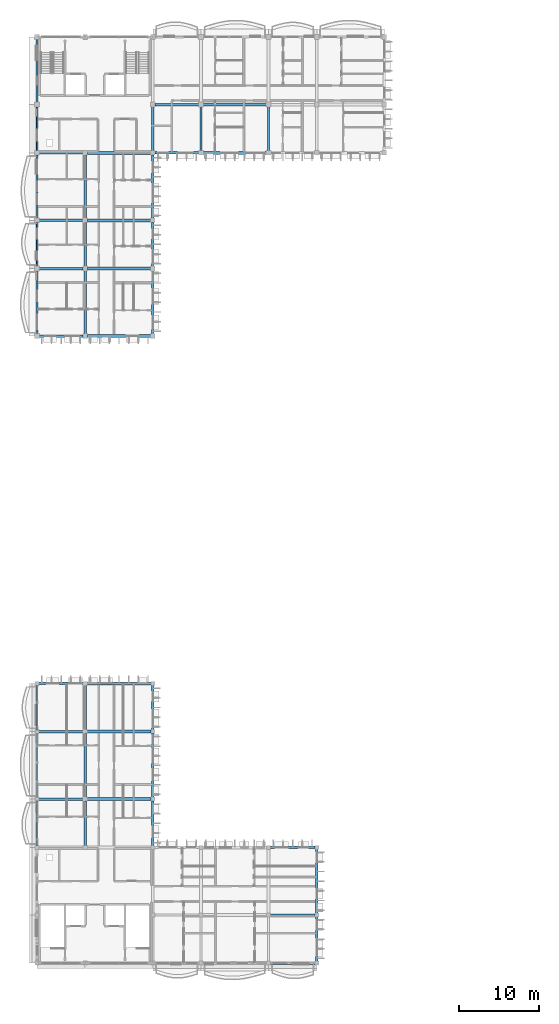
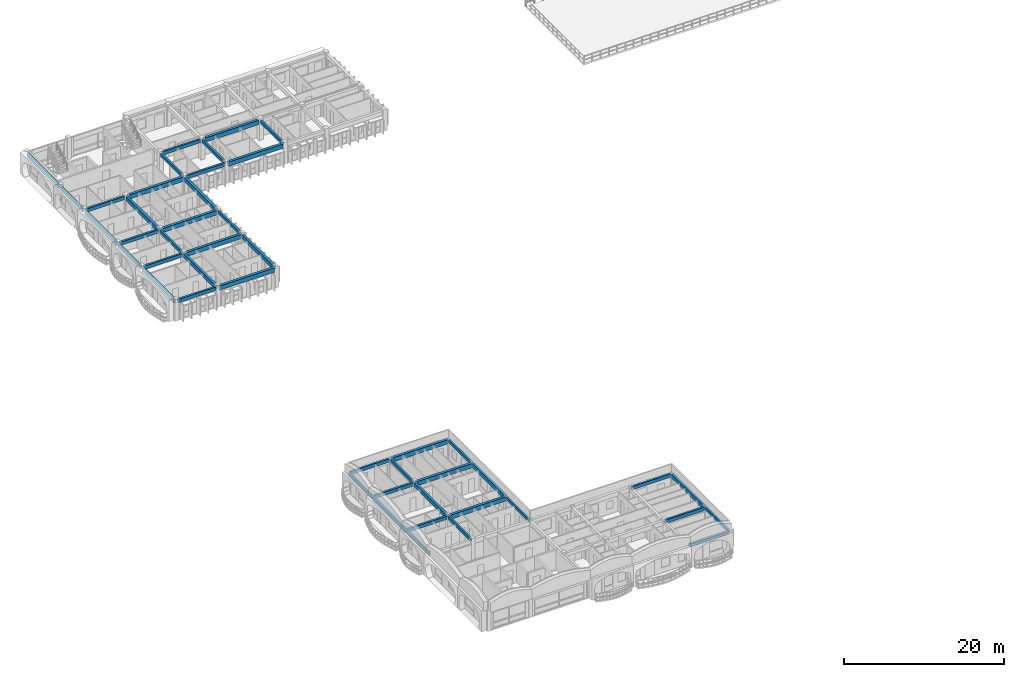
# One storey, part 4 of 45: 46 beams.
"""IFC4 building model written with IfcOpenShell, lengths in metres."""

from ifc_helpers import new_model, si_unit, direction, frame, origin, origin_2d, place, context, subcontext, project, spatial, rectangle, extrude, material, material_profile, profile_set, type_object, element, save


model = new_model("IFC4")

# Units and contexts
model_context = context("Model", 3, precision=1e-05, world=origin(), true_north=direction((0.0, 1.0)))
body_context = subcontext(model_context, "Body", "Model", "MODEL_VIEW")
ifc_project = project(units=[si_unit("LENGTHUNIT", "METRE"), si_unit("AREAUNIT", "SQUARE_METRE"), si_unit("VOLUMEUNIT", "CUBIC_METRE"), si_unit("PLANEANGLEUNIT", "RADIAN"), si_unit("MASSUNIT", "GRAM", prefix="KILO"), si_unit("THERMODYNAMICTEMPERATUREUNIT", "KELVIN")], contexts=[model_context])

# Site, building, storey
site_placement = place(None, origin())
site = spatial("IfcSite", under=ifc_project, at=site_placement, CompositionType="ELEMENT")
building_placement = place(site_placement, origin())
building = spatial("IfcBuilding", under=site, at=building_placement, Name="Thalorik Housing Commons", CompositionType="ELEMENT")
storey_placement = place(building_placement, frame((0.0, 0.0, 34.5)))
storey = spatial("IfcBuildingStorey", under=building, at=storey_placement, Name="L10", CompositionType="ELEMENT", Elevation=34.5)

# Beams
ifc_material = material(Name="Precast concrete C40/50", Category="concrete")
ifc_material_profile_1 = material_profile(ifc_material, rectangle(XDim=0.280029296875, YDim=0.449951171875, at=origin_2d()), Name="PC 280x450", Category="concrete")
ifc_profile_set_1 = profile_set([ifc_material_profile_1], Name="Precast concrete C40/50")
beam_type_1 = type_object("IfcBeamType", Name="STR-BM-PC280x450", PredefinedType="BEAM", material=ifc_profile_set_1)
for number, where, z_axis, x_axis, name in (
    (1, (14.39990234375, 23.0, 2.81494140625), (0.0, 1.0, 0.0), (-1.0, 0.0, 0.0), "L10 Beam B-450"),
    (2, (14.39990234375, 37.39990234375, 2.81494140625), (0.0, 1.0, 0.0), (-1.0, 0.0, 0.0), "L10 Beam B-450"),
):
    element("IfcBeam", number, at=place(storey_placement, frame(where, z_axis=z_axis, x_axis=x_axis)), inside=storey, type_object=beam_type_1, Name=name, PredefinedType="BEAM", context=body_context, shape_type="SweptSolid", body=[
        extrude(rectangle(XDim=0.280029296875, YDim=0.449951171875, at=origin_2d()), origin(), (0.0, 0.0, 1.0), 5.60009765625),
    ])
beam_1_placement = place(storey_placement, frame((14.39990234375, 95.050048828125, 2.81494140625), z_axis=(0.0, 1.0, 0.0), x_axis=(-1.0, 0.0, 0.0)))
element("IfcBeam", 3, at=beam_1_placement, inside=storey, type_object=beam_type_1, Name="L10 Beam B-450", PredefinedType="BEAM", context=body_context, shape_type="SweptSolid", body=[
    extrude(rectangle(XDim=0.280029296875, YDim=0.449951171875, at=origin_2d()), origin(), (0.0, 0.0, 1.0), 5.5),
])
for number, where, z_axis, x_axis, name in (
    (4, (22.800048828125, 23.0, 2.81494140625), (0.0, 1.0, 0.0), (-1.0, 0.0, 0.0), "L10 Beam B-450"),
    (5, (22.800048828125, 37.39990234375, 2.81494140625), (0.0, 1.0, 0.0), (-1.0, 0.0, 0.0), "L10 Beam B-450"),
):
    element("IfcBeam", number, at=place(storey_placement, frame(where, z_axis=z_axis, x_axis=x_axis)), inside=storey, type_object=beam_type_1, Name=name, PredefinedType="BEAM", context=body_context, shape_type="SweptSolid", body=[
        extrude(rectangle(XDim=0.280029296875, YDim=0.449951171875, at=origin_2d()), origin(), (0.0, 0.0, 1.0), 5.60009765625),
    ])
for number, where, z_axis, x_axis, name in (
    (6, (22.800048828125, 95.050048828125, 2.81494140625), (0.0, 1.0, 0.0), (-1.0, 0.0, 0.0), "L10 Beam B-450"),
    (7, (22.800048828125, 109.449951171875, 2.81494140625), (0.0, 1.0, 0.0), (-1.0, 0.0, 0.0), "L10 Beam B-450"),
    (8, (28.800048828125, 109.449951171875, 2.81494140625), (0.0, 1.0, 0.0), (-1.0, 0.0, 0.0), "L10 Beam B-450"),
    (9, (37.199951171875, 109.449951171875, 2.81494140625), (0.0, 1.0, 0.0), (-1.0, 0.0, 0.0), "L10 Beam B-450"),
):
    element("IfcBeam", number, at=place(storey_placement, frame(where, z_axis=z_axis, x_axis=x_axis)), inside=storey, type_object=beam_type_1, Name=name, PredefinedType="BEAM", context=body_context, shape_type="SweptSolid", body=[
        extrude(rectangle(XDim=0.280029296875, YDim=0.449951171875, at=origin_2d()), origin(), (0.0, 0.0, 1.0), 5.5),
    ])
beam_2_placement = place(storey_placement, frame((43.199951171875, 8.60009765625, 2.81494140625), z_axis=(0.0, 1.0, 0.0), x_axis=(-1.0, 0.0, 0.0)))
element("IfcBeam", 10, at=beam_2_placement, inside=storey, type_object=beam_type_1, Name="L10 Beam B-450", PredefinedType="BEAM", context=body_context, shape_type="SweptSolid", body=[
    extrude(rectangle(XDim=0.280029296875, YDim=0.449951171875, at=origin_2d()), origin(), (0.0, 0.0, 1.0), 5.599853515625),
])
ifc_material_profile_2 = material_profile(ifc_material, rectangle(XDim=0.300048828125, YDim=0.5, at=origin_2d()), Name="PC 300x500", Category="concrete")
ifc_profile_set_2 = profile_set([ifc_material_profile_2], Name="Precast concrete C40/50")
beam_type_2 = type_object("IfcBeamType", Name="STR-BM-PC300x500", PredefinedType="BEAM", material=ifc_profile_set_2)
for number, where, z_axis, x_axis, name in (
    (11, (37.39990234375, 8.39990234375, 2.7900390625), (1.0, 0.0, 0.0), (0.0, 1.0, 0.0), "L10 Beam B-500"),
    (12, (37.39990234375, 14.39990234375, 2.7900390625), (1.0, 0.0, 0.0), (0.0, 1.0, 0.0), "L10 Beam B-500"),
    (13, (37.39990234375, 22.800048828125, 2.7900390625), (1.0, 0.0, 0.0), (0.0, 1.0, 0.0), "L10 Beam B-500"),
):
    element("IfcBeam", number, at=place(storey_placement, frame(where, z_axis=z_axis, x_axis=x_axis)), inside=storey, type_object=beam_type_2, Name=name, PredefinedType="BEAM", context=body_context, shape_type="SweptSolid", body=[
        extrude(rectangle(XDim=0.300048828125, YDim=0.5, at=origin_2d()), origin(), (0.0, 0.0, 1.0), 5.60009765625),
    ])
for number, where, z_axis, x_axis, name in (
    (14, (8.60009765625, 28.800048828125, 2.7900390625), (1.0, 0.0, 0.0), (0.0, 1.0, 0.0), "L10 Beam B-500"),
    (15, (8.60009765625, 37.199951171875, 2.7900390625), (1.0, 0.0, 0.0), (0.0, 1.0, 0.0), "L10 Beam B-500"),
    (16, (8.60009765625, 43.199951171875, 2.7900390625), (1.0, 0.0, 0.0), (0.0, 1.0, 0.0), "L10 Beam B-500"),
):
    element("IfcBeam", number, at=place(storey_placement, frame(where, z_axis=z_axis, x_axis=x_axis)), inside=storey, type_object=beam_type_2, Name=name, PredefinedType="BEAM", context=body_context, shape_type="SweptSolid", body=[
        extrude(rectangle(XDim=0.300048828125, YDim=0.5, at=origin_2d()), origin(), (0.0, 0.0, 1.0), 5.599853515625),
    ])
for number, where, z_axis, x_axis, name in (
    (17, (8.64990234375, 86.39990234375, 2.7900390625), (1.0, 0.0, 0.0), (0.0, 1.0, 0.0), "L10 Beam B-500"),
    (18, (8.64990234375, 94.800048828125, 2.7900390625), (1.0, 0.0, 0.0), (0.0, 1.0, 0.0), "L10 Beam B-500"),
    (19, (8.64990234375, 100.800048828125, 2.7900390625), (1.0, 0.0, 0.0), (0.0, 1.0, 0.0), "L10 Beam B-500"),
    (20, (8.64990234375, 109.199951171875, 2.7900390625), (1.0, 0.0, 0.0), (0.0, 1.0, 0.0), "L10 Beam B-500"),
    (21, (23.050048828125, 109.199951171875, 2.7900390625), (1.0, 0.0, 0.0), (0.0, 1.0, 0.0), "L10 Beam B-500"),
    (22, (23.050048828125, 115.199951171875, 2.7900390625), (1.0, 0.0, 0.0), (0.0, 1.0, 0.0), "L10 Beam B-500"),
):
    element("IfcBeam", number, at=place(storey_placement, frame(where, z_axis=z_axis, x_axis=x_axis)), inside=storey, type_object=beam_type_2, Name=name, PredefinedType="BEAM", context=body_context, shape_type="SweptSolid", body=[
        extrude(rectangle(XDim=0.300048828125, YDim=0.5, at=origin_2d()), origin(), (0.0, 0.0, 1.0), 5.5),
    ])
ifc_material_profile_3 = material_profile(ifc_material, rectangle(XDim=0.35009765625, YDim=0.60009765625, at=origin_2d()), Name="PC 350x600", Category="concrete")
ifc_profile_set_3 = profile_set([ifc_material_profile_3], Name="Precast concrete C40/50")
beam_type_3 = type_object("IfcBeamType", Name="STR-BM-PC350x600", PredefinedType="BEAM", material=ifc_profile_set_3)
beam_3_placement = place(storey_placement, frame((14.39990234375, 29.0, 2.739990234375), z_axis=(0.0, 1.0, 0.0), x_axis=(-1.0, 0.0, 0.0)))
element("IfcBeam", 23, at=beam_3_placement, inside=storey, type_object=beam_type_3, Name="L10 Beam B-600", PredefinedType="BEAM", context=body_context, shape_type="SweptSolid", body=[
    extrude(rectangle(XDim=0.35009765625, YDim=0.60009765625, at=origin_2d()), origin(), (0.0, 0.0, 1.0), 8.0),
])
beam_4_placement = place(storey_placement, frame((14.39990234375, 86.64990234375, 2.739990234375), z_axis=(0.0, 1.0, 0.0), x_axis=(-1.0, 0.0, 0.0)))
element("IfcBeam", 24, at=beam_4_placement, inside=storey, type_object=beam_type_3, Name="L10 Beam B-600", PredefinedType="BEAM", context=body_context, shape_type="SweptSolid", body=[
    extrude(rectangle(XDim=0.35009765625, YDim=0.60009765625, at=origin_2d()), origin(), (0.0, 0.0, 1.0), 7.900146484375),
])
beam_5_placement = place(storey_placement, frame((14.39990234375, 101.050048828125, 2.739990234375), z_axis=(0.0, 1.0, 0.0), x_axis=(-1.0, 0.0, 0.0)))
element("IfcBeam", 25, at=beam_5_placement, inside=storey, type_object=beam_type_3, Name="L10 Beam B-600", PredefinedType="BEAM", context=body_context, shape_type="SweptSolid", body=[
    extrude(rectangle(XDim=0.35009765625, YDim=0.60009765625, at=origin_2d()), origin(), (0.0, 0.0, 1.0), 7.89990234375),
])
beam_6_placement = place(storey_placement, frame((22.800048828125, 29.0, 2.739990234375), z_axis=(0.0, 1.0, 0.0), x_axis=(-1.0, 0.0, 0.0)))
element("IfcBeam", 26, at=beam_6_placement, inside=storey, type_object=beam_type_3, Name="L10 Beam B-600", PredefinedType="BEAM", context=body_context, shape_type="SweptSolid", body=[
    extrude(rectangle(XDim=0.35009765625, YDim=0.60009765625, at=origin_2d()), origin(), (0.0, 0.0, 1.0), 8.0),
])
beam_7_placement = place(storey_placement, frame((22.800048828125, 86.64990234375, 2.739990234375), z_axis=(0.0, 1.0, 0.0), x_axis=(-1.0, 0.0, 0.0)))
element("IfcBeam", 27, at=beam_7_placement, inside=storey, type_object=beam_type_3, Name="L10 Beam B-600", PredefinedType="BEAM", context=body_context, shape_type="SweptSolid", body=[
    extrude(rectangle(XDim=0.35009765625, YDim=0.60009765625, at=origin_2d()), origin(), (0.0, 0.0, 1.0), 7.900146484375),
])
beam_8_placement = place(storey_placement, frame((22.800048828125, 101.050048828125, 2.739990234375), z_axis=(0.0, 1.0, 0.0), x_axis=(-1.0, 0.0, 0.0)))
element("IfcBeam", 28, at=beam_8_placement, inside=storey, type_object=beam_type_3, Name="L10 Beam B-600", PredefinedType="BEAM", context=body_context, shape_type="SweptSolid", body=[
    extrude(rectangle(XDim=0.35009765625, YDim=0.60009765625, at=origin_2d()), origin(), (0.0, 0.0, 1.0), 7.89990234375),
])
beam_9_placement = place(storey_placement, frame((43.199951171875, 14.60009765625, 2.739990234375), z_axis=(0.0, 1.0, 0.0), x_axis=(-1.0, 0.0, 0.0)))
element("IfcBeam", 29, at=beam_9_placement, inside=storey, type_object=beam_type_3, Name="L10 Beam B-600", PredefinedType="BEAM", context=body_context, shape_type="SweptSolid", body=[
    extrude(rectangle(XDim=0.35009765625, YDim=0.60009765625, at=origin_2d()), origin(), (0.0, 0.0, 1.0), 8.0),
])
ifc_material_profile_4 = material_profile(ifc_material, rectangle(XDim=0.3798828125, YDim=0.64990234375, at=origin_2d()), Name="PC 380x650", Category="concrete")
ifc_profile_set_4 = profile_set([ifc_material_profile_4], Name="Precast concrete C40/50")
beam_type_4 = type_object("IfcBeamType", Name="STR-BM-PC380x650", PredefinedType="BEAM", material=ifc_profile_set_4)
for number, where, z_axis, x_axis, name in (
    (30, (14.60009765625, 28.800048828125, 2.715087890625), (1.0, 0.0, 0.0), (0.0, 1.0, 0.0), "L10 Beam B-650"),
    (31, (14.60009765625, 37.199951171875, 2.715087890625), (1.0, 0.0, 0.0), (0.0, 1.0, 0.0), "L10 Beam B-650"),
    (32, (14.60009765625, 43.199951171875, 2.715087890625), (1.0, 0.0, 0.0), (0.0, 1.0, 0.0), "L10 Beam B-650"),
):
    element("IfcBeam", number, at=place(storey_placement, frame(where, z_axis=z_axis, x_axis=x_axis)), inside=storey, type_object=beam_type_4, Name=name, PredefinedType="BEAM", context=body_context, shape_type="SweptSolid", body=[
        extrude(rectangle(XDim=0.3798828125, YDim=0.64990234375, at=origin_2d()), origin(), (0.0, 0.0, 1.0), 8.0),
    ])
for number, where, z_axis, x_axis, name in (
    (33, (14.64990234375, 86.39990234375, 2.715087890625), (1.0, 0.0, 0.0), (0.0, 1.0, 0.0), "L10 Beam B-650"),
    (34, (14.64990234375, 94.800048828125, 2.715087890625), (1.0, 0.0, 0.0), (0.0, 1.0, 0.0), "L10 Beam B-650"),
    (35, (14.64990234375, 100.800048828125, 2.715087890625), (1.0, 0.0, 0.0), (0.0, 1.0, 0.0), "L10 Beam B-650"),
    (36, (14.64990234375, 109.199951171875, 2.715087890625), (1.0, 0.0, 0.0), (0.0, 1.0, 0.0), "L10 Beam B-650"),
):
    element("IfcBeam", number, at=place(storey_placement, frame(where, z_axis=z_axis, x_axis=x_axis)), inside=storey, type_object=beam_type_4, Name=name, PredefinedType="BEAM", context=body_context, shape_type="SweptSolid", body=[
        extrude(rectangle(XDim=0.3798828125, YDim=0.64990234375, at=origin_2d()), origin(), (0.0, 0.0, 1.0), 7.900146484375),
    ])
for number, where, z_axis, x_axis, name in (
    (37, (29.050048828125, 109.199951171875, 2.715087890625), (1.0, 0.0, 0.0), (0.0, 1.0, 0.0), "L10 Beam B-650"),
    (38, (29.050048828125, 115.199951171875, 2.715087890625), (1.0, 0.0, 0.0), (0.0, 1.0, 0.0), "L10 Beam B-650"),
):
    element("IfcBeam", number, at=place(storey_placement, frame(where, z_axis=z_axis, x_axis=x_axis)), inside=storey, type_object=beam_type_4, Name=name, PredefinedType="BEAM", context=body_context, shape_type="SweptSolid", body=[
        extrude(rectangle(XDim=0.3798828125, YDim=0.64990234375, at=origin_2d()), origin(), (0.0, 0.0, 1.0), 7.89990234375),
    ])
ifc_material_profile_5 = material_profile(ifc_material, rectangle(XDim=0.239990234375, YDim=0.580078125, at=origin_2d()), Name="PC SP 240x580", Category="concrete")
ifc_profile_set_5 = profile_set([ifc_material_profile_5], Name="Precast concrete C40/50")
beam_type_5 = type_object("IfcBeamType", Name="STR-SP-PC240x580", PredefinedType="SPANDREL", material=ifc_profile_set_5)
for number, where, z_axis, x_axis, name in (
    (39, (8.39990234375, 23.0, 2.75), (0.0, 1.0, 0.0), (-1.0, 0.0, 0.0), "L10 Beam B-450"),
    (40, (8.39990234375, 37.39990234375, 2.75), (0.0, 1.0, 0.0), (-1.0, 0.0, 0.0), "L10 Beam B-450"),
):
    element("IfcBeam", number, at=place(storey_placement, frame(where, z_axis=z_axis, x_axis=x_axis)), inside=storey, type_object=beam_type_5, Name=name, PredefinedType="SPANDREL", context=body_context, shape_type="SweptSolid", body=[
        extrude(rectangle(XDim=0.239990234375, YDim=0.580078125, at=origin_2d()), origin(), (0.0, 0.0, 1.0), 5.60009765625),
    ])
for number, where, z_axis, x_axis, name in (
    (41, (8.39990234375, 95.050048828125, 2.75), (0.0, 1.0, 0.0), (-1.0, 0.0, 0.0), "L10 Beam B-450"),
    (42, (8.39990234375, 109.449951171875, 2.75), (0.0, 1.0, 0.0), (-1.0, 0.0, 0.0), "L10 Beam B-450"),
):
    element("IfcBeam", number, at=place(storey_placement, frame(where, z_axis=z_axis, x_axis=x_axis)), inside=storey, type_object=beam_type_5, Name=name, PredefinedType="SPANDREL", context=body_context, shape_type="SweptSolid", body=[
        extrude(rectangle(XDim=0.239990234375, YDim=0.580078125, at=origin_2d()), origin(), (0.0, 0.0, 1.0), 5.5),
    ])
ifc_material_profile_6 = material_profile(ifc_material, rectangle(XDim=0.260009765625, YDim=0.679931640625, at=origin_2d()), Name="PC SP 260x680", Category="concrete")
ifc_profile_set_6 = profile_set([ifc_material_profile_6], Name="Precast concrete C40/50")
beam_type_6 = type_object("IfcBeamType", Name="STR-SP-PC260x680", PredefinedType="SPANDREL", material=ifc_profile_set_6)
beam_10_placement = place(storey_placement, frame((8.39990234375, 29.0, 2.699951171875), z_axis=(0.0, 1.0, 0.0), x_axis=(-1.0, 0.0, 0.0)))
element("IfcBeam", 43, at=beam_10_placement, inside=storey, type_object=beam_type_6, Name="L10 Beam B-600", PredefinedType="SPANDREL", context=body_context, shape_type="SweptSolid", body=[
    extrude(rectangle(XDim=0.260009765625, YDim=0.679931640625, at=origin_2d()), origin(), (0.0, 0.0, 1.0), 8.0),
])
beam_11_placement = place(storey_placement, frame((8.39990234375, 86.64990234375, 2.699951171875), z_axis=(0.0, 1.0, 0.0), x_axis=(-1.0, 0.0, 0.0)))
element("IfcBeam", 44, at=beam_11_placement, inside=storey, type_object=beam_type_6, Name="L10 Beam B-600", PredefinedType="SPANDREL", context=body_context, shape_type="SweptSolid", body=[
    extrude(rectangle(XDim=0.260009765625, YDim=0.679931640625, at=origin_2d()), origin(), (0.0, 0.0, 1.0), 7.900146484375),
])
beam_12_placement = place(storey_placement, frame((8.39990234375, 101.050048828125, 2.699951171875), z_axis=(0.0, 1.0, 0.0), x_axis=(-1.0, 0.0, 0.0)))
element("IfcBeam", 45, at=beam_12_placement, inside=storey, type_object=beam_type_6, Name="L10 Beam B-600", PredefinedType="SPANDREL", context=body_context, shape_type="SweptSolid", body=[
    extrude(rectangle(XDim=0.260009765625, YDim=0.679931640625, at=origin_2d()), origin(), (0.0, 0.0, 1.0), 7.89990234375),
])
beam_13_placement = place(storey_placement, frame((8.39990234375, 115.449951171875, 2.699951171875), z_axis=(0.0, 1.0, 0.0), x_axis=(-1.0, 0.0, 0.0)))
element("IfcBeam", 46, at=beam_13_placement, inside=storey, type_object=beam_type_6, Name="L10 Beam B-600", PredefinedType="SPANDREL", context=body_context, shape_type="SweptSolid", body=[
    extrude(rectangle(XDim=0.260009765625, YDim=0.679931640625, at=origin_2d()), origin(), (0.0, 0.0, 1.0), 7.900146484375),
])

save(model, "model.ifc")
